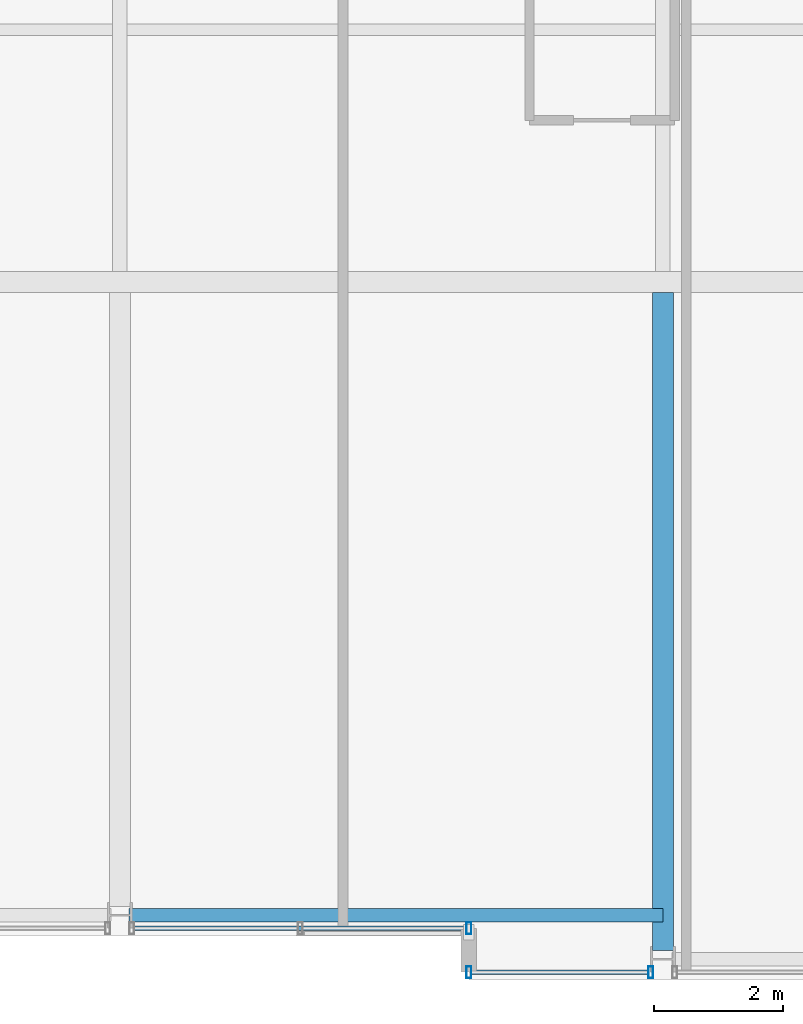
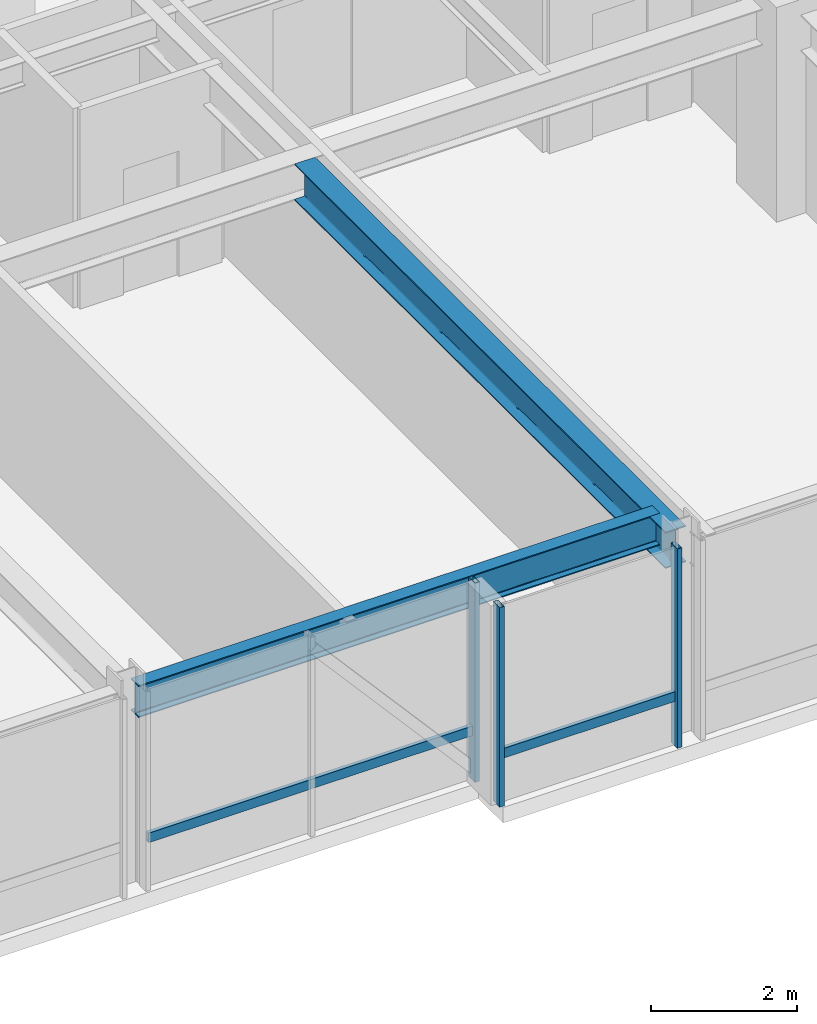
# One storey, part 6 of 32: 5 members, 2 beams, 2 elements without a shape of their own.
"""IFC4 building model written with IfcOpenShell, lengths in metres."""

from ifc_helpers import new_model, si_unit, direction, frame, origin, origin_2d, place, context, subcontext, project, spatial, hollow_rectangle, i_section, extrude, material, layer, layer_set, material_profile, profile_set, type_object, element, aggregate, save


model = new_model("IFC4")

# Units and contexts
model_context = context("Model", 3, precision=1e-05, world=origin(), true_north=direction((0.0, 1.0)))
body_context = subcontext(model_context, "Body", "Model", "MODEL_VIEW")
ifc_project = project(units=[si_unit("LENGTHUNIT", "METRE"), si_unit("AREAUNIT", "SQUARE_METRE"), si_unit("VOLUMEUNIT", "CUBIC_METRE"), si_unit("PLANEANGLEUNIT", "RADIAN"), si_unit("MASSUNIT", "GRAM", prefix="KILO")], contexts=[model_context])

# Site, building, storey
site_placement = place(None, origin())
site = spatial("IfcSite", under=ifc_project, at=site_placement, CompositionType="ELEMENT")
building_placement = place(site_placement, origin())
building = spatial("IfcBuilding", under=site, at=building_placement, Name="Drelvath Grand Hotel", CompositionType="ELEMENT")
storey_placement = place(building_placement, frame((0.0, 0.0, 233.89990234375)))
storey = spatial("IfcBuildingStorey", under=building, at=storey_placement, Name="L61", CompositionType="ELEMENT", Elevation=233.89990234375)

# Curtain wall, member
ifc_material_1 = material(Name="Platinum-Mist Anodised Aluminium Frame", Category="aluminium")
ifc_layer = layer(ifc_material_1, 0.199951171875)
ifc_layer_set = layer_set([ifc_layer], Name="Platinum-Mist Anodised Aluminium Frame")
curtain_wall_type = type_object("IfcCurtainWallType", Name="Stick Curtain Wall CW-05 Platinum Mist High-Rise", PredefinedType="NOTDEFINED", material=ifc_layer_set)
curtain_wall_1_placement = place(storey_placement, origin())
curtain_wall_1 = element("IfcCurtainWall", 1, at=curtain_wall_1_placement, inside=storey, type_object=curtain_wall_type, Name="L61 CW-05 Curtain Wall CW05-L61-SE1", PredefinedType="NOTDEFINED")
ifc_material_profile_1 = material_profile(ifc_material_1, hollow_rectangle(XDim=0.06494140625, YDim=0.159912109375, WallThickness=0.00390625, at=origin_2d()), Name="HSS160X65X4")
ifc_profile_set_1 = profile_set([ifc_material_profile_1], Name="Platinum-Mist Anodised Aluminium Frame")
member_type_1 = type_object("IfcMemberType", Name="Curtain Wall Horizontal Transom CW-05 HSS160X65X4", PredefinedType="USERDEFINED", material=ifc_profile_set_1)
member_1_placement = place(storey_placement, frame((8.1748046875, 0.1201171875, 0.835205078125), z_axis=(-1.0, 0.0, 0.0), x_axis=(0.0, -1.0, 0.0)))
member_1 = element("IfcMember", 2, at=member_1_placement, type_object=member_type_1, Name="CW05-L61-SE1 Sill Transom", ObjectType="TRANSOM", PredefinedType="USERDEFINED", context=body_context, shape_type="SweptSolid", body=[
    extrude(hollow_rectangle(XDim=0.06494140625, YDim=0.159912109375, WallThickness=0.00390625, at=origin_2d()), origin(), (0.0, 0.0, 1.0), 2.73486328125),
])

curtain_wall_2_placement = place(storey_placement, origin())
curtain_wall_2 = element("IfcCurtainWall", 3, at=curtain_wall_2_placement, inside=storey, type_object=curtain_wall_type, Name="L61 CW-05 Curtain Wall CW05-L61-SM2", PredefinedType="NOTDEFINED")
member_2_placement = place(storey_placement, frame((5.360107421875, 0.800048828125, 0.835205078125), z_axis=(-1.0, 0.0, 0.0), x_axis=(0.0, -1.0, 0.0)))
member_2 = element("IfcMember", 4, at=member_2_placement, type_object=member_type_1, Name="CW05-L61-SM2 Sill Transom", ObjectType="TRANSOM", PredefinedType="USERDEFINED", context=body_context, shape_type="SweptSolid", body=[
    extrude(hollow_rectangle(XDim=0.06494140625, YDim=0.159912109375, WallThickness=0.00390625, at=origin_2d()), origin(), (0.0, 0.0, 1.0), 5.134765625),
])

# Member
ifc_material_profile_2 = material_profile(ifc_material_1, hollow_rectangle(XDim=0.074951171875, YDim=0.179931640625, WallThickness=0.0048828125, at=origin_2d()), Name="HSS180X75X5")
ifc_profile_set_2 = profile_set([ifc_material_profile_2], Name="Platinum-Mist Anodised Aluminium Frame")
member_type_2 = type_object("IfcMemberType", Name="Curtain Wall Vertical Mullion CW-05 HSS180X75X5", PredefinedType="MULLION", material=ifc_profile_set_2)
member_3_placement = place(storey_placement, frame((8.214599609375, 0.1201171875, 0.0), z_axis=(0.0, 0.0, 1.0), x_axis=(1.0, 0.0, 0.0)))
member_3 = element("IfcMember", 5, at=member_3_placement, type_object=member_type_2, Name="CW05-L61-SE1 Mullion 1", PredefinedType="MULLION", context=body_context, shape_type="SweptSolid", body=[
    extrude(hollow_rectangle(XDim=0.074951171875, YDim=0.179931640625, WallThickness=0.0048828125, at=origin_2d()), origin(), (0.0, 0.0, 1.0), 3.340087890625),
])

member_4_placement = place(storey_placement, frame((5.39990234375, 0.1201171875, 0.0), z_axis=(0.0, 0.0, 1.0), x_axis=(1.0, 0.0, 0.0)))
member_4 = element("IfcMember", 6, at=member_4_placement, type_object=member_type_2, Name="CW05-L61-SE1 Mullion 2", PredefinedType="MULLION", context=body_context, shape_type="SweptSolid", body=[
    extrude(hollow_rectangle(XDim=0.074951171875, YDim=0.179931640625, WallThickness=0.0048828125, at=origin_2d()), origin(), (0.0, 0.0, 1.0), 3.340087890625),
])

aggregate(curtain_wall_1, [member_3, member_4, member_1])

member_5_placement = place(storey_placement, frame((5.39990234375, 0.800048828125, 0.0), z_axis=(0.0, 0.0, 1.0), x_axis=(1.0, 0.0, 0.0)))
member_5 = element("IfcMember", 7, at=member_5_placement, type_object=member_type_2, Name="CW05-L61-SM2 Mullion 1", PredefinedType="MULLION", context=body_context, shape_type="SweptSolid", body=[
    extrude(hollow_rectangle(XDim=0.074951171875, YDim=0.179931640625, WallThickness=0.0048828125, at=origin_2d()), origin(), (0.0, 0.0, 1.0), 3.340087890625),
])

aggregate(curtain_wall_2, [member_5, member_2])

# Beams
ifc_material_2 = material(Name="Steel ASTM A992 Gr 50", Category="steel")
ifc_material_profile_3 = material_profile(ifc_material_2, i_section(OverallWidth=0.210205078125, OverallDepth=0.53662109375, WebThickness=0.010986328125, FlangeThickness=0.017333984375, FilletRadius=0.01806640625, at=origin_2d()), Name="W21X68")
ifc_profile_set_3 = profile_set([ifc_material_profile_3], Name="Steel ASTM A992 Gr 50")
beam_type_1 = type_object("IfcBeamType", Name="Perimeter Spandrel Beam W21X68", PredefinedType="SPANDREL", material=ifc_profile_set_3)
beam_1_placement = place(storey_placement, frame((0.139892578125, 1.0, 3.07177734375), z_axis=(1.0, 0.0, 0.0), x_axis=(0.0, 1.0, 0.0)))
element("IfcBeam", 8, at=beam_1_placement, inside=storey, type_object=beam_type_1, Name="L61 Spandrel South Mid E", PredefinedType="SPANDREL", context=body_context, shape_type="SweptSolid", body=[
    extrude(i_section(OverallWidth=0.210205078125, OverallDepth=0.53662109375, WebThickness=0.010986328125, FlangeThickness=0.017333984375, FilletRadius=0.01806640625, at=origin_2d()), origin(), (0.0, 0.0, 1.0), 8.260009765625),
])
ifc_material_profile_4 = material_profile(ifc_material_2, i_section(OverallWidth=0.323974609375, OverallDepth=0.611083984375, WebThickness=0.0126953125, FlangeThickness=0.01904296875, FilletRadius=0.02197265625, at=origin_2d()), Name="W24X104")
ifc_profile_set_4 = profile_set([ifc_material_profile_4], Name="Steel ASTM A992 Gr 50")
beam_type_2 = type_object("IfcBeamType", Name="Primary Floor Girder W24X104", PredefinedType="BEAM", material=ifc_profile_set_4)
beam_2_placement = place(storey_placement, frame((8.39990234375, 0.4599609375, 3.034423828125), z_axis=(0.0, 1.0, 0.0), x_axis=(-1.0, 0.0, 0.0)))
element("IfcBeam", 9, at=beam_2_placement, inside=storey, type_object=beam_type_2, Name="L61 South Wing Girder 6", PredefinedType="BEAM", context=body_context, shape_type="SweptSolid", body=[
    extrude(i_section(OverallWidth=0.323974609375, OverallDepth=0.611083984375, WebThickness=0.0126953125, FlangeThickness=0.01904296875, FilletRadius=0.02197265625, at=origin_2d()), origin(), (0.0, 0.0, 1.0), 10.177978515625),
])

save(model, "model.ifc")
